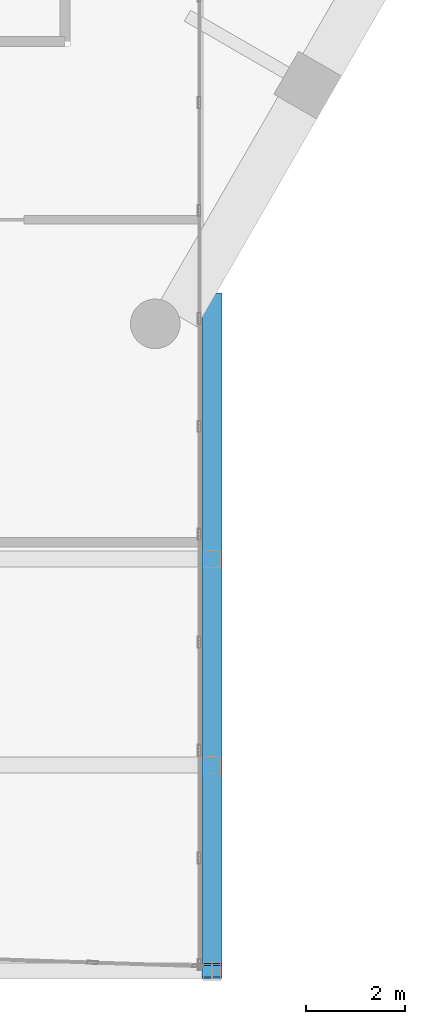
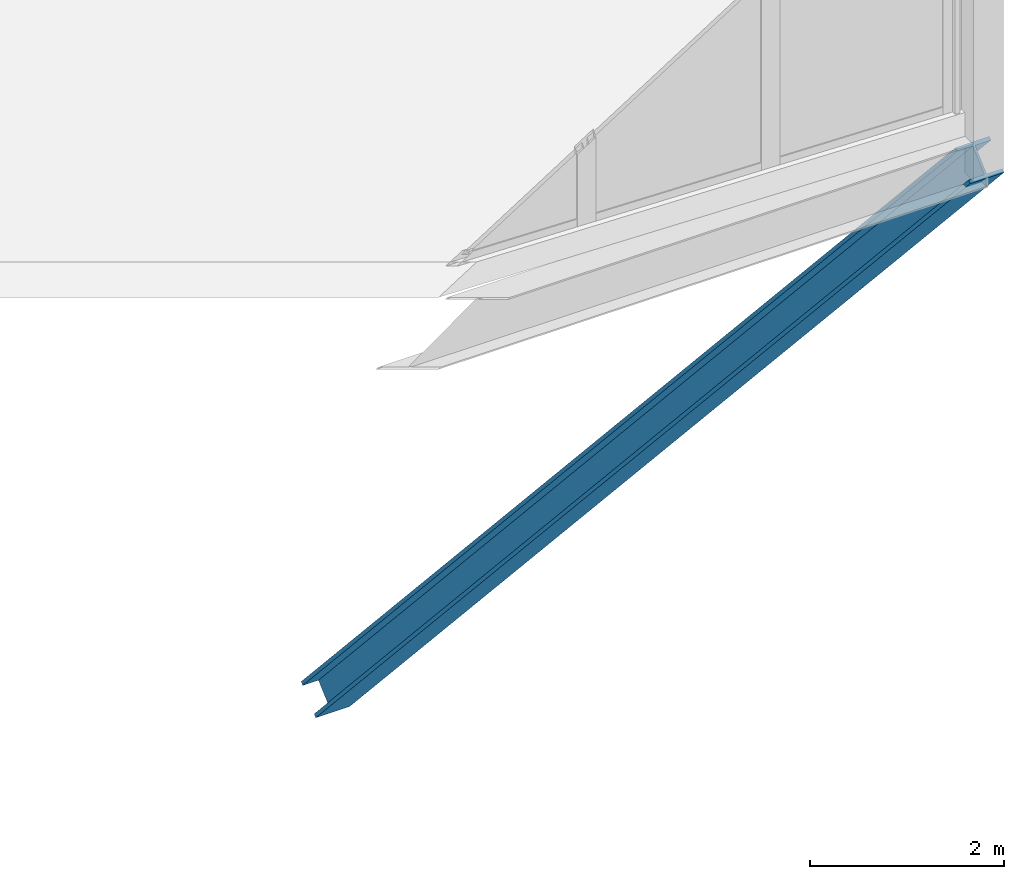
# One storey, part 13 of 38: 1 member.
"""IFC4 building model written with IfcOpenShell, lengths in metres."""

from ifc_helpers import new_model, si_unit, direction, frame, origin, origin_2d, place, context, subcontext, project, spatial, i_section, extrude, material, material_profile, profile_set, type_object, element, save


model = new_model("IFC4")

# Units and contexts
model_context = context("Model", 3, precision=1e-05, world=origin(), true_north=direction((0.0, 1.0)))
body_context = subcontext(model_context, "Body", "Model", "MODEL_VIEW")
ifc_project = project(units=[si_unit("LENGTHUNIT", "METRE"), si_unit("AREAUNIT", "SQUARE_METRE"), si_unit("VOLUMEUNIT", "CUBIC_METRE"), si_unit("PLANEANGLEUNIT", "RADIAN"), si_unit("MASSUNIT", "GRAM", prefix="KILO")], contexts=[model_context])

# Site, building, storey
site_placement = place(None, origin())
site = spatial("IfcSite", under=ifc_project, at=site_placement, CompositionType="ELEMENT")
building_placement = place(site_placement, origin())
building = spatial("IfcBuilding", under=site, at=building_placement, Name="Ostrander Bayou Hotel Tower", CompositionType="ELEMENT")
storey_placement = place(building_placement, frame((0.0, 0.0, 194.5)))
storey = spatial("IfcBuildingStorey", under=building, at=storey_placement, Name="L48", CompositionType="ELEMENT", Elevation=194.5)

# Member
ifc_material = material(Name="Steel ASTM A992", Category="steel")
ifc_material_profile = material_profile(ifc_material, i_section(OverallWidth=0.403564453125, OverallDepth=0.407470703125, WebThickness=0.027099609375, FlangeThickness=0.043701171875, at=origin_2d()))
ifc_profile_set = profile_set([ifc_material_profile], Name="Steel ASTM A992")
member_type = type_object("IfcMemberType", Name="TK2 bar kicker strut W14x233", PredefinedType="BRACE", material=ifc_profile_set)
member_placement = place(storey_placement, frame((12.110107421875, -30.14990234375, -0.6611328125), z_axis=(0.0, 0.671150575778, -0.741321053682), x_axis=(-1.0, 0.0, 0.0)))
element("IfcMember", 1, at=member_placement, inside=storey, type_object=member_type, Name="TK2 SB4SB kicker", PredefinedType="BRACE", context=body_context, shape_type="SweptSolid", body=[
    extrude(i_section(OverallWidth=0.403564453125, OverallDepth=0.407470703125, WebThickness=0.027099609375, FlangeThickness=0.043701171875, at=origin_2d()), origin(), (0.0, 0.0, 1.0), 20.15185546875),
])

save(model, "model.ifc")
